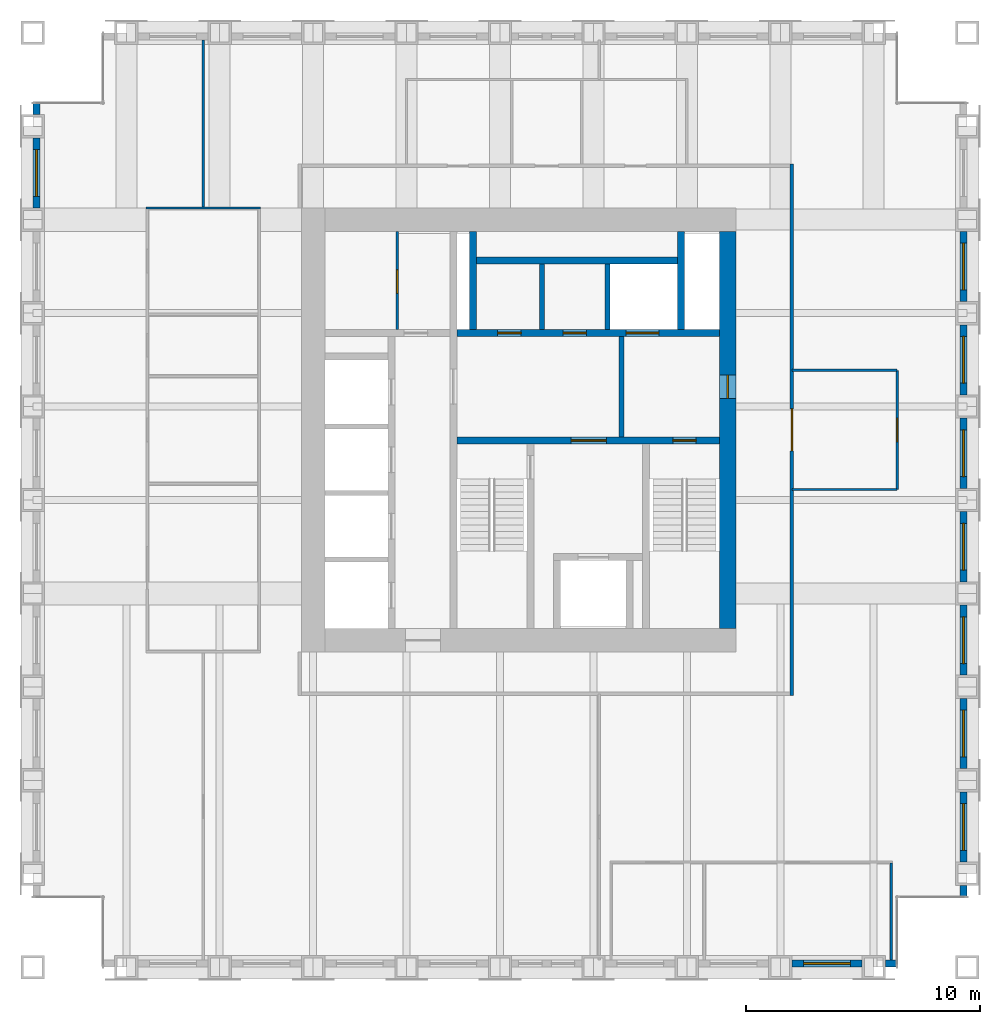
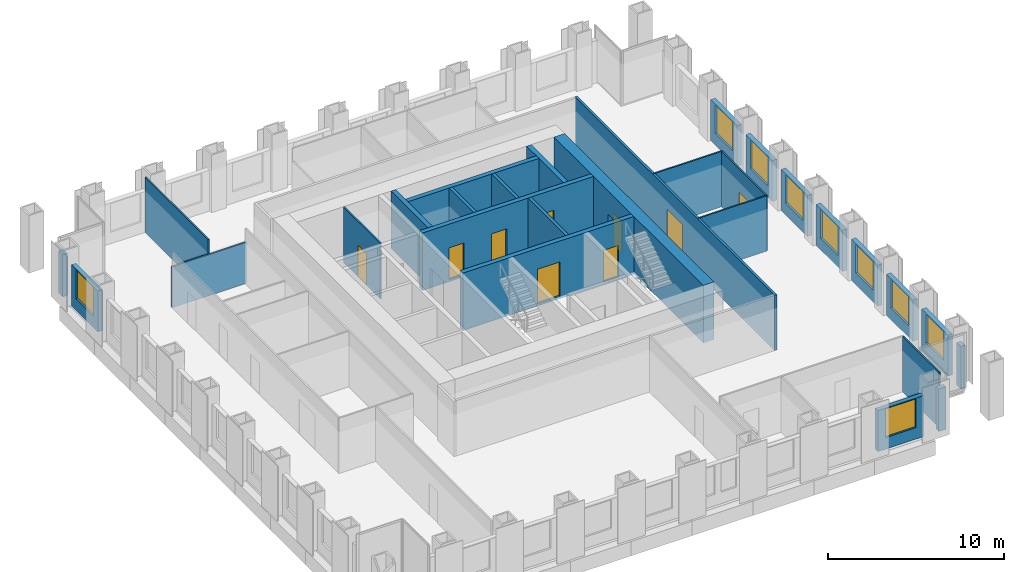
# One storey, part 9 of 11: 29 walls, 9 doors, 9 windows, 18 openings.
"""IFC4 building model written with IfcOpenShell, lengths in metres."""

from ifc_helpers import new_model, si_unit, direction, frame, frame_2d, origin, place, context, subcontext, project, spatial, rectangle, extrude, material, layer, layer_set, type_object, element, fill, save


model = new_model("IFC4")

# Units and contexts
model_context = context("Model", 3, precision=1e-05, world=origin(), true_north=direction((0.0, 1.0)))
body_context = subcontext(model_context, "Body", "Model", "MODEL_VIEW")
ifc_project = project(units=[si_unit("LENGTHUNIT", "METRE"), si_unit("AREAUNIT", "SQUARE_METRE"), si_unit("VOLUMEUNIT", "CUBIC_METRE"), si_unit("PLANEANGLEUNIT", "RADIAN"), si_unit("MASSUNIT", "GRAM", prefix="KILO")], contexts=[model_context])

# Site, building, storey
site_placement = place(None, origin())
site = spatial("IfcSite", under=ifc_project, at=site_placement, CompositionType="ELEMENT")
building_placement = place(site_placement, origin())
building = spatial("IfcBuilding", under=site, at=building_placement, Name="Rimbunsela Tower", CompositionType="ELEMENT")
storey_placement = place(building_placement, frame((0.0, 0.0, 278.199951171875)))
storey = spatial("IfcBuildingStorey", under=building, at=storey_placement, Name="L67", CompositionType="ELEMENT", Elevation=278.199951171875)

# Wall, openings, doors
ifc_material_1 = material(Name="Concrete fc' 80 MPa", Category="concrete")
ifc_layer_1 = layer(ifc_material_1, 0.300048828125)
ifc_layer_set_1 = layer_set([ifc_layer_1], Name="Core internal wall 300")
wall_type_1 = type_object("IfcWallType", Name="Core internal wall 300", PredefinedType="SHEAR", material=ifc_layer_set_1)
wall_1_placement = place(storey_placement, frame((24.14990234375, 26.550048828125, -0.14990234375), z_axis=(0.0, 0.0, 1.0), x_axis=(1.0, 0.0, 0.0)))
wall_1 = element("IfcWall", 1, at=wall_1_placement, inside=storey, type_object=wall_type_1, Name="Core wall lobby south", PredefinedType="SHEAR", context=body_context, shape_type="SweptSolid", body=[
    extrude(rectangle(XDim=11.25, YDim=0.300048828125, at=frame_2d((5.625, 0.0))), origin(), (0.0, 0.0, 1.0), 4.0),
])
opening_1_placement = place(wall_1_placement, frame((9.25, 0.0, 0.14990234375)))
opening_1 = element("IfcOpeningElement", 2, at=opening_1_placement, cuts=wall_1, Name="Opening D01", PredefinedType="OPENING", context=body_context, shape_type="SweptSolid", body=[
    extrude(rectangle(XDim=1.0, YDim=2.199951171875, at=frame_2d((0.5, 1.10009765625))), frame((0.0, 0.159912109375, 0.0), z_axis=(0.0, -1.0, 0.0), x_axis=(1.0, 0.0, 0.0)), (0.0, 0.0, 1.0), 0.320068359375),
])
opening_2_placement = place(wall_1_placement, frame((4.89990234375, 0.0, 0.14990234375)))
opening_2 = element("IfcOpeningElement", 3, at=opening_2_placement, cuts=wall_1, Name="Opening D03", PredefinedType="OPENING", context=body_context, shape_type="SweptSolid", body=[
    extrude(rectangle(XDim=1.5, YDim=2.39990234375, at=frame_2d((0.75, 1.199951171875))), frame((0.0, 0.159912109375, 0.0), z_axis=(0.0, -1.0, 0.0), x_axis=(1.0, 0.0, 0.0)), (0.0, 0.0, 1.0), 0.320068359375),
])
ifc_material_2 = material(Name="Steel door, fire rated", Category="steel")
door_type_1 = type_object("IfcDoorType", Name="Core lobby door 1500", OperationType="DOUBLE_DOOR_DOUBLE_SWING", PredefinedType="DOOR", material=ifc_material_2)
door_1_placement = place(opening_2_placement, origin())
door_1 = element("IfcDoor", 4, at=door_1_placement, inside=storey, type_object=door_type_1, Name="Firefighting lobby door", OperationType="DOUBLE_DOOR_DOUBLE_SWING", OverallHeight=2.39990234375, OverallWidth=1.5, PredefinedType="DOOR", context=body_context, shape_type="SweptSolid", body=[
    extrude(rectangle(XDim=1.5, YDim=2.39990234375, at=frame_2d((0.75, 1.199951171875))), frame((0.0, 0.02490234375, 0.0), z_axis=(0.0, -1.0, 0.0), x_axis=(1.0, 0.0, 0.0)), (0.0, 0.0, 1.0), 0.050048828125),
])
fill(opening_2, door_1)
ifc_material_3 = material(Name="Steel door, fire rated", Category="steel")
door_type_2 = type_object("IfcDoorType", Name="Stair door 1000", OperationType="SINGLE_SWING_RIGHT", PredefinedType="DOOR", material=ifc_material_3)
door_2_placement = place(opening_1_placement, frame((1.0, 0.0, 0.0), z_axis=(0.0, 0.0, 1.0), x_axis=(-1.0, 0.0, 0.0)))
door_2 = element("IfcDoor", 5, at=door_2_placement, inside=storey, type_object=door_type_2, Name="Stair B door", OperationType="SINGLE_SWING_RIGHT", OverallHeight=2.199951171875, OverallWidth=1.0, PredefinedType="DOOR", context=body_context, shape_type="SweptSolid", body=[
    extrude(rectangle(XDim=1.0, YDim=2.199951171875, at=frame_2d((0.5, 1.10009765625))), frame((0.0, 0.02490234375, 0.0), z_axis=(0.0, -1.0, 0.0), x_axis=(1.0, 0.0, 0.0)), (0.0, 0.0, 1.0), 0.050048828125),
])
fill(opening_1, door_2)

wall_2_placement = place(storey_placement, frame((24.14990234375, 31.14990234375, -0.14990234375), z_axis=(0.0, 0.0, 1.0), x_axis=(1.0, 0.0, 0.0)))
wall_2 = element("IfcWall", 6, at=wall_2_placement, inside=storey, type_object=wall_type_1, Name="Lift shaft front north", PredefinedType="SHEAR", context=body_context, shape_type="SweptSolid", body=[
    extrude(rectangle(XDim=11.25, YDim=0.300048828125, at=frame_2d((5.625, 0.0))), origin(), (0.0, 0.0, 1.0), 4.0),
])
opening_3_placement = place(wall_2_placement, frame((1.75, 0.0, 0.14990234375)))
opening_3 = element("IfcOpeningElement", 7, at=opening_3_placement, cuts=wall_2, Name="Opening D19", PredefinedType="OPENING", context=body_context, shape_type="SweptSolid", body=[
    extrude(rectangle(XDim=1.0, YDim=2.199951171875, at=frame_2d((0.5, 1.10009765625))), frame((0.0, 0.159912109375, 0.0), z_axis=(0.0, -1.0, 0.0), x_axis=(1.0, 0.0, 0.0)), (0.0, 0.0, 1.0), 0.320068359375),
])
opening_4_placement = place(wall_2_placement, frame((4.550048828125, 0.0, 0.14990234375)))
opening_4 = element("IfcOpeningElement", 8, at=opening_4_placement, cuts=wall_2, Name="Opening D19", PredefinedType="OPENING", context=body_context, shape_type="SweptSolid", body=[
    extrude(rectangle(XDim=1.0, YDim=2.199951171875, at=frame_2d((0.5, 1.10009765625))), frame((0.0, 0.159912109375, 0.0), z_axis=(0.0, -1.0, 0.0), x_axis=(1.0, 0.0, 0.0)), (0.0, 0.0, 1.0), 0.320068359375),
])
opening_5_placement = place(wall_2_placement, frame((7.25, 0.0, 0.14990234375)))
opening_5 = element("IfcOpeningElement", 9, at=opening_5_placement, cuts=wall_2, Name="Opening LD3", PredefinedType="OPENING", context=body_context, shape_type="SweptSolid", body=[
    extrude(rectangle(XDim=1.39990234375, YDim=2.39990234375, at=frame_2d((0.699951171875, 1.199951171875))), frame((0.0, 0.159912109375, 0.0), z_axis=(0.0, -1.0, 0.0), x_axis=(1.0, 0.0, 0.0)), (0.0, 0.0, 1.0), 0.320068359375),
])
ifc_material_4 = material(Name="Steel door, fire rated", Category="steel")
door_type_3 = type_object("IfcDoorType", Name="Lift landing door 1400", OperationType="DOUBLE_DOOR_SLIDING", PredefinedType="DOOR", material=ifc_material_4)
door_3_placement = place(opening_5_placement, origin())
door_3 = element("IfcDoor", 10, at=door_3_placement, inside=storey, type_object=door_type_3, Name="Lift landing door FL2", OperationType="DOUBLE_DOOR_SLIDING", OverallHeight=2.39990234375, OverallWidth=1.39990234375, PredefinedType="DOOR", context=body_context, shape_type="SweptSolid", body=[
    extrude(rectangle(XDim=1.39990234375, YDim=2.39990234375, at=frame_2d((0.699951171875, 1.199951171875))), frame((0.0, 0.02490234375, 0.0), z_axis=(0.0, -1.0, 0.0), x_axis=(1.0, 0.0, 0.0)), (0.0, 0.0, 1.0), 0.050048828125),
])
fill(opening_5, door_3)
ifc_material_5 = material(Name="Steel door, fire rated", Category="steel")
door_type_4 = type_object("IfcDoorType", Name="Service door 1000 fire rated", OperationType="SINGLE_SWING_LEFT", PredefinedType="DOOR", material=ifc_material_5)
door_4_placement = place(opening_3_placement, origin())
door_4 = element("IfcDoor", 11, at=door_4_placement, inside=storey, type_object=door_type_4, Name="Staff WC door", OperationType="SINGLE_SWING_LEFT", OverallHeight=2.199951171875, OverallWidth=1.0, PredefinedType="DOOR", context=body_context, shape_type="SweptSolid", body=[
    extrude(rectangle(XDim=1.0, YDim=2.199951171875, at=frame_2d((0.5, 1.10009765625))), frame((0.0, 0.02490234375, 0.0), z_axis=(0.0, -1.0, 0.0), x_axis=(1.0, 0.0, 0.0)), (0.0, 0.0, 1.0), 0.050048828125),
])
fill(opening_3, door_4)
door_5_placement = place(opening_4_placement, origin())
door_5 = element("IfcDoor", 12, at=door_5_placement, inside=storey, type_object=door_type_4, Name="Cleaners store door", OperationType="SINGLE_SWING_LEFT", OverallHeight=2.199951171875, OverallWidth=1.0, PredefinedType="DOOR", context=body_context, shape_type="SweptSolid", body=[
    extrude(rectangle(XDim=1.0, YDim=2.199951171875, at=frame_2d((0.5, 1.10009765625))), frame((0.0, 0.02490234375, 0.0), z_axis=(0.0, -1.0, 0.0), x_axis=(1.0, 0.0, 0.0)), (0.0, 0.0, 1.0), 0.050048828125),
])
fill(opening_4, door_5)

# Walls
for number, where, z_axis, x_axis, name in (
    (13, (24.85009765625, 31.300048828125, -0.14990234375), (0.0, 0.0, 1.0), (0.0, 1.0, 0.0), "Riser wall"),
    (14, (33.75, 31.300048828125, -0.14990234375), (0.0, 0.0, 1.0), (0.0, 1.0, 0.0), "Riser wall"),
):
    element("IfcWall", number, at=place(storey_placement, frame(where, z_axis=z_axis, x_axis=x_axis)), inside=storey, type_object=wall_type_1, Name=name, PredefinedType="SHEAR", context=body_context, shape_type="SweptSolid", body=[
        extrude(rectangle(XDim=4.199951171875, YDim=0.300048828125, at=frame_2d((2.10009765625, 0.0))), origin(), (0.0, 0.0, 1.0), 4.0),
    ])
wall_3_placement = place(storey_placement, frame((25.0, 34.25, -0.14990234375), z_axis=(0.0, 0.0, 1.0), x_axis=(1.0, 0.0, 0.0)))
element("IfcWall", 15, at=wall_3_placement, inside=storey, type_object=wall_type_1, Name="Lift shaft rear north", PredefinedType="SHEAR", context=body_context, shape_type="SweptSolid", body=[
    extrude(rectangle(XDim=8.60009765625, YDim=0.300048828125, at=frame_2d((4.300048828125, 0.0))), origin(), (0.0, 0.0, 1.0), 4.0),
])

# Wall, opening, door
ifc_material_6 = material(Name="Concrete blockwork", Category="masonry")
ifc_layer_2 = layer(ifc_material_6, 0.10009765625)
ifc_layer_set_2 = layer_set([ifc_layer_2], Name="Core room partition 100")
wall_type_2 = type_object("IfcWallType", Name="Core room partition 100", PredefinedType="PARTITIONING", material=ifc_layer_set_2)
wall_4_placement = place(storey_placement, frame((21.60009765625, 31.300048828125, 0.0), z_axis=(0.0, 0.0, 1.0), x_axis=(0.0, 1.0, 0.0)))
wall_4 = element("IfcWall", 16, at=wall_4_placement, inside=storey, type_object=wall_type_2, Name="Equipment store wall", PredefinedType="PARTITIONING", context=body_context, shape_type="SweptSolid", body=[
    extrude(rectangle(XDim=4.199951171875, YDim=0.10009765625, at=frame_2d((2.10009765625, 0.0))), origin(), (0.0, 0.0, 1.0), 3.85009765625),
])
opening_6_placement = place(wall_4_placement, frame((1.550048828125, 0.0, 0.0)))
opening_6 = element("IfcOpeningElement", 17, at=opening_6_placement, cuts=wall_4, Name="Opening D19", PredefinedType="OPENING", context=body_context, shape_type="SweptSolid", body=[
    extrude(rectangle(XDim=1.0, YDim=2.199951171875, at=frame_2d((0.5, 1.10009765625))), frame((0.0, 0.06005859375, 0.0), z_axis=(0.0, -1.0, 0.0), x_axis=(1.0, 0.0, 0.0)), (0.0, 0.0, 1.0), 0.1201171875),
])
door_6_placement = place(opening_6_placement, origin())
door_6 = element("IfcDoor", 18, at=door_6_placement, inside=storey, type_object=door_type_4, Name="Equipment store door", OperationType="SINGLE_SWING_LEFT", OverallHeight=2.199951171875, OverallWidth=1.0, PredefinedType="DOOR", context=body_context, shape_type="SweptSolid", body=[
    extrude(rectangle(XDim=1.0, YDim=2.199951171875, at=frame_2d((0.5, 1.10009765625))), frame((0.0, 0.02490234375, 0.0), z_axis=(0.0, -1.0, 0.0), x_axis=(1.0, 0.0, 0.0)), (0.0, 0.0, 1.0), 0.050048828125),
])
fill(opening_6, door_6)

ifc_material_7 = material(Name="Concrete fc' 80 MPa", Category="concrete")
ifc_layer_3 = layer(ifc_material_7, 0.699951171875)
ifc_layer_set_3 = layer_set([ifc_layer_3], Name="Core wall 700 east")
wall_type_3 = type_object("IfcWallType", Name="Core wall 700 east", PredefinedType="SHEAR", material=ifc_layer_set_3)
wall_5_placement = place(storey_placement, frame((35.75, 18.5, -0.14990234375), z_axis=(0.0, 0.0, 1.0), x_axis=(0.0, 1.0, 0.0)))
wall_5 = element("IfcWall", 19, at=wall_5_placement, inside=storey, type_object=wall_type_3, Name="Core wall east", PredefinedType="SHEAR", context=body_context, shape_type="SweptSolid", body=[
    extrude(rectangle(XDim=17.0, YDim=0.699951171875, at=frame_2d((8.5, 0.0))), origin(), (0.0, 0.0, 1.0), 4.0),
])
opening_7_placement = place(wall_5_placement, frame((9.85009765625, 0.0, 0.14990234375)))
opening_7 = element("IfcOpeningElement", 20, at=opening_7_placement, cuts=wall_5, Name="Opening D01", PredefinedType="OPENING", context=body_context, shape_type="SweptSolid", body=[
    extrude(rectangle(XDim=1.0, YDim=2.199951171875, at=frame_2d((0.5, 1.10009765625))), frame((0.0, 0.35986328125, 0.0), z_axis=(0.0, -1.0, 0.0), x_axis=(1.0, 0.0, 0.0)), (0.0, 0.0, 1.0), 0.719970703125),
])
door_7_placement = place(opening_7_placement, origin())
door_7 = element("IfcDoor", 21, at=door_7_placement, inside=storey, type_object=door_type_2, Name="Firefighting lobby 2 door", OperationType="SINGLE_SWING_RIGHT", OverallHeight=2.199951171875, OverallWidth=1.0, PredefinedType="DOOR", context=body_context, shape_type="SweptSolid", body=[
    extrude(rectangle(XDim=1.0, YDim=2.199951171875, at=frame_2d((0.5, 1.10009765625))), frame((0.0, 0.02490234375, 0.0), z_axis=(0.0, -1.0, 0.0), x_axis=(1.0, 0.0, 0.0)), (0.0, 0.0, 1.0), 0.050048828125),
])
fill(opening_7, door_7)

# Walls
ifc_material_8 = material(Name="Concrete blockwork", Category="masonry")
ifc_layer_4 = layer(ifc_material_8, 0.199951171875)
ifc_layer_set_4 = layer_set([ifc_layer_4], Name="Lift shaft wall 200")
wall_type_4 = type_object("IfcWallType", Name="Lift shaft wall 200", PredefinedType="SOLIDWALL", material=ifc_layer_set_4)
for number, where, z_axis, x_axis, name in (
    (22, (27.800048828125, 31.300048828125, -0.14990234375), (0.0, 0.0, 1.0), (0.0, 1.0, 0.0), "Lift shaft separation"),
    (23, (30.60009765625, 31.300048828125, -0.14990234375), (0.0, 0.0, 1.0), (0.0, 1.0, 0.0), "Lift shaft separation"),
):
    element("IfcWall", number, at=place(storey_placement, frame(where, z_axis=z_axis, x_axis=x_axis)), inside=storey, type_object=wall_type_4, Name=name, PredefinedType="SOLIDWALL", context=body_context, shape_type="SweptSolid", body=[
        extrude(rectangle(XDim=2.800048828125, YDim=0.199951171875, at=frame_2d((1.39990234375, 0.0))), origin(), (0.0, 0.0, 1.0), 4.0),
    ])
wall_6_placement = place(storey_placement, frame((31.199951171875, 26.699951171875, 0.0), z_axis=(0.0, 0.0, 1.0), x_axis=(0.0, 1.0, 0.0)))
element("IfcWall", 24, at=wall_6_placement, inside=storey, type_object=wall_type_4, Name="Firefighting lobby 2 wall", PredefinedType="SOLIDWALL", context=body_context, shape_type="SweptSolid", body=[
    extrude(rectangle(XDim=4.300048828125, YDim=0.199951171875, at=frame_2d((2.14990234375, 0.0))), origin(), (0.0, 0.0, 1.0), 3.85009765625),
])
ifc_material_9 = material(Name="Gypsum board on steel studs", Category="steel")
ifc_layer_5 = layer(ifc_material_9, 0.10009765625)
ifc_layer_set_5 = layer_set([ifc_layer_5], Name="Office partition 100")
wall_type_5 = type_object("IfcWallType", Name="Office partition 100", PredefinedType="PARTITIONING", material=ifc_layer_set_5)
wall_7_placement = place(storey_placement, frame((10.85009765625, 36.5, 0.0), z_axis=(0.0, 0.0, 1.0), x_axis=(1.0, 0.0, 0.0)))
element("IfcWall", 25, at=wall_7_placement, inside=storey, type_object=wall_type_5, Name="Office partition", PredefinedType="PARTITIONING", context=body_context, shape_type="SweptSolid", body=[
    extrude(rectangle(XDim=4.89990234375, YDim=0.10009765625, at=frame_2d((2.449951171875, 0.0))), origin(), (0.0, 0.0, 1.0), 2.85009765625),
])
wall_8_placement = place(storey_placement, frame((42.75, 4.300048828125, 0.0), z_axis=(0.0, 0.0, 1.0), x_axis=(0.0, 1.0, 0.0)))
element("IfcWall", 26, at=wall_8_placement, inside=storey, type_object=wall_type_5, Name="Office partition", PredefinedType="PARTITIONING", context=body_context, shape_type="SweptSolid", body=[
    extrude(rectangle(XDim=4.14990234375, YDim=0.10009765625, at=frame_2d((2.074951171875, 0.0))), origin(), (0.0, 0.0, 1.0), 3.85009765625),
])
wall_9_placement = place(storey_placement, frame((13.300048828125, 36.550048828125, 0.0), z_axis=(0.0, 0.0, 1.0), x_axis=(0.0, 1.0, 0.0)))
element("IfcWall", 27, at=wall_9_placement, inside=storey, type_object=wall_type_5, Name="Office partition", PredefinedType="PARTITIONING", context=body_context, shape_type="SweptSolid", body=[
    extrude(rectangle(XDim=7.14990234375, YDim=0.10009765625, at=frame_2d((3.574951171875, 0.0))), origin(), (0.0, 0.0, 1.0), 3.85009765625),
])
wall_10_placement = place(storey_placement, frame((38.5, 24.449951171875, 0.0), z_axis=(0.0, 0.0, 1.0), x_axis=(1.0, 0.0, 0.0)))
element("IfcWall", 28, at=wall_10_placement, inside=storey, type_object=wall_type_5, Name="Office partition", PredefinedType="PARTITIONING", context=body_context, shape_type="SweptSolid", body=[
    extrude(rectangle(XDim=4.5, YDim=0.10009765625, at=frame_2d((2.25, 0.0))), origin(), (0.0, 0.0, 1.0), 3.85009765625),
])

# Wall, opening, door
wall_11_placement = place(storey_placement, frame((43.0, 24.449951171875, 0.0), z_axis=(0.0, 0.0, 1.0), x_axis=(0.0, 1.0, 0.0)))
wall_11 = element("IfcWall", 29, at=wall_11_placement, inside=storey, type_object=wall_type_5, Name="Office partition", PredefinedType="PARTITIONING", context=body_context, shape_type="SweptSolid", body=[
    extrude(rectangle(XDim=5.10009765625, YDim=0.10009765625, at=frame_2d((2.550048828125, 0.0))), origin(), (0.0, 0.0, 1.0), 3.85009765625),
])
opening_8_placement = place(wall_11_placement, frame((2.050048828125, 0.0, 0.0)))
opening_8 = element("IfcOpeningElement", 30, at=opening_8_placement, cuts=wall_11, Name="Opening D17", PredefinedType="OPENING", context=body_context, shape_type="SweptSolid", body=[
    extrude(rectangle(XDim=1.0, YDim=2.199951171875, at=frame_2d((0.5, 1.10009765625))), frame((0.0, 0.06005859375, 0.0), z_axis=(0.0, -1.0, 0.0), x_axis=(1.0, 0.0, 0.0)), (0.0, 0.0, 1.0), 0.1201171875),
])
ifc_material_10 = material(Name="Glazed aluminium door", Category="aluminium")
door_type_5 = type_object("IfcDoorType", Name="Meeting room door 1000 glazed", OperationType="SINGLE_SWING_RIGHT", PredefinedType="DOOR", material=ifc_material_10)
door_8_placement = place(opening_8_placement, origin())
door_8 = element("IfcDoor", 31, at=door_8_placement, inside=storey, type_object=door_type_5, Name="Reception door", OperationType="SINGLE_SWING_RIGHT", OverallHeight=2.199951171875, OverallWidth=1.0, PredefinedType="DOOR", context=body_context, shape_type="SweptSolid", body=[
    extrude(rectangle(XDim=1.0, YDim=2.199951171875, at=frame_2d((0.5, 1.10009765625))), frame((0.0, 0.02490234375, 0.0), z_axis=(0.0, -1.0, 0.0), x_axis=(1.0, 0.0, 0.0)), (0.0, 0.0, 1.0), 0.050048828125),
])
fill(opening_8, door_8)

# Wall
wall_12_placement = place(storey_placement, frame((43.0, 29.550048828125, 0.0), z_axis=(0.0, 0.0, 1.0), x_axis=(-1.0, 0.0, 0.0)))
element("IfcWall", 32, at=wall_12_placement, inside=storey, type_object=wall_type_5, Name="Office partition", PredefinedType="PARTITIONING", context=body_context, shape_type="SweptSolid", body=[
    extrude(rectangle(XDim=4.5, YDim=0.10009765625, at=frame_2d((2.25, 0.0))), origin(), (0.0, 0.0, 1.0), 3.85009765625),
])

# Wall, opening, window
ifc_material_11 = material(Name="Precast concrete fc' 35 MPa", Category="concrete")
ifc_layer_6 = layer(ifc_material_11, 0.300048828125)
ifc_layer_set_6 = layer_set([ifc_layer_6], Name="Precast concrete fc' 35 MPa")
wall_type_6 = type_object("IfcWallType", Name="Precast facade panel 300", PredefinedType="ELEMENTEDWALL", material=ifc_layer_set_6)
wall_13_placement = place(storey_placement, frame((38.5, 4.14990234375, 0.0), z_axis=(0.0, 0.0, 1.0), x_axis=(1.0, 0.0, 0.0)))
wall_13 = element("IfcWall", 33, at=wall_13_placement, inside=storey, type_object=wall_type_6, Name="Facade panel S L67", PredefinedType="ELEMENTEDWALL", context=body_context, shape_type="SweptSolid", body=[
    extrude(rectangle(XDim=3.0, YDim=0.300048828125, at=frame_2d((1.5, 0.0))), origin(), (0.0, 0.0, 1.0), 2.85009765625),
])
opening_9_placement = place(wall_13_placement, frame((0.5, 0.0, 0.800048828125)))
opening_9 = element("IfcOpeningElement", 34, at=opening_9_placement, cuts=wall_13, Name="Opening W1", PredefinedType="OPENING", context=body_context, shape_type="SweptSolid", body=[
    extrude(rectangle(XDim=2.0, YDim=2.0, at=frame_2d((1.0, 1.0))), frame((0.0, 0.159912109375, 0.0), z_axis=(0.0, -1.0, 0.0), x_axis=(1.0, 0.0, 0.0)), (0.0, 0.0, 1.0), 0.320068359375),
])
ifc_material_12 = material(Name="Clear glass in aluminium frame", Category="aluminium")
window_type = type_object("IfcWindowType", Name="Window W1 2000x2000", PartitioningType="DOUBLE_PANEL_VERTICAL", PredefinedType="WINDOW", material=ifc_material_12)
window_1_placement = place(opening_9_placement, origin())
window_1 = element("IfcWindow", 35, at=window_1_placement, inside=storey, type_object=window_type, Name="Window L67", OverallHeight=2.0, OverallWidth=2.0, PartitioningType="SINGLE_PANEL", PredefinedType="WINDOW", context=body_context, shape_type="SweptSolid", body=[
    extrude(rectangle(XDim=2.0, YDim=2.0, at=frame_2d((1.0, 1.0))), frame((0.0, 0.030029296875, 0.0), z_axis=(0.0, -1.0, 0.0), x_axis=(1.0, 0.0, 0.0)), (0.0, 0.0, 1.0), 0.06005859375),
])
fill(opening_9, window_1)

# Walls
for number, where, z_axis, x_axis, name in (
    (36, (42.5, 4.14990234375, 0.0), (0.0, 0.0, 1.0), (1.0, 0.0, 0.0), "Facade panel S L67"),
    (37, (45.85009765625, 7.030029296875, 0.0), (0.0, 0.0, 1.0), (0.0, 1.0, 0.0), "Facade panel E L67"),
):
    element("IfcWall", number, at=place(storey_placement, frame(where, z_axis=z_axis, x_axis=x_axis)), inside=storey, type_object=wall_type_6, Name=name, PredefinedType="ELEMENTEDWALL", context=body_context, shape_type="SweptSolid", body=[
        extrude(rectangle(XDim=0.469970703125, YDim=0.300048828125, at=frame_2d((0.23486328125, 0.0))), origin(), (0.0, 0.0, 1.0), 2.949951171875),
    ])

# Wall, opening, window
wall_14_placement = place(storey_placement, frame((45.85009765625, 8.5, 0.0), z_axis=(0.0, 0.0, 1.0), x_axis=(0.0, 1.0, 0.0)))
wall_14 = element("IfcWall", 38, at=wall_14_placement, inside=storey, type_object=wall_type_6, Name="Facade panel E L67", PredefinedType="ELEMENTEDWALL", context=body_context, shape_type="SweptSolid", body=[
    extrude(rectangle(XDim=3.0, YDim=0.300048828125, at=frame_2d((1.5, 0.0))), origin(), (0.0, 0.0, 1.0), 2.85009765625),
])
opening_10_placement = place(wall_14_placement, frame((0.5, 0.0, 0.800048828125)))
opening_10 = element("IfcOpeningElement", 39, at=opening_10_placement, cuts=wall_14, Name="Opening W1", PredefinedType="OPENING", context=body_context, shape_type="SweptSolid", body=[
    extrude(rectangle(XDim=2.0, YDim=2.0, at=frame_2d((1.0, 1.0))), frame((0.0, 0.159912109375, 0.0), z_axis=(0.0, -1.0, 0.0), x_axis=(1.0, 0.0, 0.0)), (0.0, 0.0, 1.0), 0.320068359375),
])
window_2_placement = place(opening_10_placement, origin())
window_2 = element("IfcWindow", 40, at=window_2_placement, inside=storey, type_object=window_type, Name="Window L67", OverallHeight=2.0, OverallWidth=2.0, PartitioningType="SINGLE_PANEL", PredefinedType="WINDOW", context=body_context, shape_type="SweptSolid", body=[
    extrude(rectangle(XDim=2.0, YDim=2.0, at=frame_2d((1.0, 1.0))), frame((0.0, 0.030029296875, 0.0), z_axis=(0.0, -1.0, 0.0), x_axis=(1.0, 0.0, 0.0)), (0.0, 0.0, 1.0), 0.06005859375),
])
fill(opening_10, window_2)

wall_15_placement = place(storey_placement, frame((45.85009765625, 12.5, 0.0), z_axis=(0.0, 0.0, 1.0), x_axis=(0.0, 1.0, 0.0)))
wall_15 = element("IfcWall", 41, at=wall_15_placement, inside=storey, type_object=wall_type_6, Name="Facade panel E L67", PredefinedType="ELEMENTEDWALL", context=body_context, shape_type="SweptSolid", body=[
    extrude(rectangle(XDim=3.0, YDim=0.300048828125, at=frame_2d((1.5, 0.0))), origin(), (0.0, 0.0, 1.0), 2.85009765625),
])
opening_11_placement = place(wall_15_placement, frame((0.5, 0.0, 0.800048828125)))
opening_11 = element("IfcOpeningElement", 42, at=opening_11_placement, cuts=wall_15, Name="Opening W1", PredefinedType="OPENING", context=body_context, shape_type="SweptSolid", body=[
    extrude(rectangle(XDim=2.0, YDim=2.0, at=frame_2d((1.0, 1.0))), frame((0.0, 0.159912109375, 0.0), z_axis=(0.0, -1.0, 0.0), x_axis=(1.0, 0.0, 0.0)), (0.0, 0.0, 1.0), 0.320068359375),
])
window_3_placement = place(opening_11_placement, origin())
window_3 = element("IfcWindow", 43, at=window_3_placement, inside=storey, type_object=window_type, Name="Window L67", OverallHeight=2.0, OverallWidth=2.0, PartitioningType="SINGLE_PANEL", PredefinedType="WINDOW", context=body_context, shape_type="SweptSolid", body=[
    extrude(rectangle(XDim=2.0, YDim=2.0, at=frame_2d((1.0, 1.0))), frame((0.0, 0.030029296875, 0.0), z_axis=(0.0, -1.0, 0.0), x_axis=(1.0, 0.0, 0.0)), (0.0, 0.0, 1.0), 0.06005859375),
])
fill(opening_11, window_3)

wall_16_placement = place(storey_placement, frame((45.85009765625, 16.5, 0.0), z_axis=(0.0, 0.0, 1.0), x_axis=(0.0, 1.0, 0.0)))
wall_16 = element("IfcWall", 44, at=wall_16_placement, inside=storey, type_object=wall_type_6, Name="Facade panel E L67", PredefinedType="ELEMENTEDWALL", context=body_context, shape_type="SweptSolid", body=[
    extrude(rectangle(XDim=3.0, YDim=0.300048828125, at=frame_2d((1.5, 0.0))), origin(), (0.0, 0.0, 1.0), 2.85009765625),
])
opening_12_placement = place(wall_16_placement, frame((0.5, 0.0, 0.800048828125)))
opening_12 = element("IfcOpeningElement", 45, at=opening_12_placement, cuts=wall_16, Name="Opening W1", PredefinedType="OPENING", context=body_context, shape_type="SweptSolid", body=[
    extrude(rectangle(XDim=2.0, YDim=2.0, at=frame_2d((1.0, 1.0))), frame((0.0, 0.159912109375, 0.0), z_axis=(0.0, -1.0, 0.0), x_axis=(1.0, 0.0, 0.0)), (0.0, 0.0, 1.0), 0.320068359375),
])
window_4_placement = place(opening_12_placement, origin())
window_4 = element("IfcWindow", 46, at=window_4_placement, inside=storey, type_object=window_type, Name="Window L67", OverallHeight=2.0, OverallWidth=2.0, PartitioningType="SINGLE_PANEL", PredefinedType="WINDOW", context=body_context, shape_type="SweptSolid", body=[
    extrude(rectangle(XDim=2.0, YDim=2.0, at=frame_2d((1.0, 1.0))), frame((0.0, 0.030029296875, 0.0), z_axis=(0.0, -1.0, 0.0), x_axis=(1.0, 0.0, 0.0)), (0.0, 0.0, 1.0), 0.06005859375),
])
fill(opening_12, window_4)

wall_17_placement = place(storey_placement, frame((45.85009765625, 20.5, 0.0), z_axis=(0.0, 0.0, 1.0), x_axis=(0.0, 1.0, 0.0)))
wall_17 = element("IfcWall", 47, at=wall_17_placement, inside=storey, type_object=wall_type_6, Name="Facade panel E L67", PredefinedType="ELEMENTEDWALL", context=body_context, shape_type="SweptSolid", body=[
    extrude(rectangle(XDim=3.0, YDim=0.300048828125, at=frame_2d((1.5, 0.0))), origin(), (0.0, 0.0, 1.0), 2.85009765625),
])
opening_13_placement = place(wall_17_placement, frame((0.5, 0.0, 0.800048828125)))
opening_13 = element("IfcOpeningElement", 48, at=opening_13_placement, cuts=wall_17, Name="Opening W1", PredefinedType="OPENING", context=body_context, shape_type="SweptSolid", body=[
    extrude(rectangle(XDim=2.0, YDim=2.0, at=frame_2d((1.0, 1.0))), frame((0.0, 0.159912109375, 0.0), z_axis=(0.0, -1.0, 0.0), x_axis=(1.0, 0.0, 0.0)), (0.0, 0.0, 1.0), 0.320068359375),
])
window_5_placement = place(opening_13_placement, origin())
window_5 = element("IfcWindow", 49, at=window_5_placement, inside=storey, type_object=window_type, Name="Window L67", OverallHeight=2.0, OverallWidth=2.0, PartitioningType="SINGLE_PANEL", PredefinedType="WINDOW", context=body_context, shape_type="SweptSolid", body=[
    extrude(rectangle(XDim=2.0, YDim=2.0, at=frame_2d((1.0, 1.0))), frame((0.0, 0.030029296875, 0.0), z_axis=(0.0, -1.0, 0.0), x_axis=(1.0, 0.0, 0.0)), (0.0, 0.0, 1.0), 0.06005859375),
])
fill(opening_13, window_5)

wall_18_placement = place(storey_placement, frame((45.85009765625, 24.5, 0.0), z_axis=(0.0, 0.0, 1.0), x_axis=(0.0, 1.0, 0.0)))
wall_18 = element("IfcWall", 50, at=wall_18_placement, inside=storey, type_object=wall_type_6, Name="Facade panel E L67", PredefinedType="ELEMENTEDWALL", context=body_context, shape_type="SweptSolid", body=[
    extrude(rectangle(XDim=3.0, YDim=0.300048828125, at=frame_2d((1.5, 0.0))), origin(), (0.0, 0.0, 1.0), 2.85009765625),
])
opening_14_placement = place(wall_18_placement, frame((0.5, 0.0, 0.800048828125)))
opening_14 = element("IfcOpeningElement", 51, at=opening_14_placement, cuts=wall_18, Name="Opening W1", PredefinedType="OPENING", context=body_context, shape_type="SweptSolid", body=[
    extrude(rectangle(XDim=2.0, YDim=2.0, at=frame_2d((1.0, 1.0))), frame((0.0, 0.159912109375, 0.0), z_axis=(0.0, -1.0, 0.0), x_axis=(1.0, 0.0, 0.0)), (0.0, 0.0, 1.0), 0.320068359375),
])
window_6_placement = place(opening_14_placement, origin())
window_6 = element("IfcWindow", 52, at=window_6_placement, inside=storey, type_object=window_type, Name="Window L67", OverallHeight=2.0, OverallWidth=2.0, PartitioningType="SINGLE_PANEL", PredefinedType="WINDOW", context=body_context, shape_type="SweptSolid", body=[
    extrude(rectangle(XDim=2.0, YDim=2.0, at=frame_2d((1.0, 1.0))), frame((0.0, 0.030029296875, 0.0), z_axis=(0.0, -1.0, 0.0), x_axis=(1.0, 0.0, 0.0)), (0.0, 0.0, 1.0), 0.06005859375),
])
fill(opening_14, window_6)

wall_19_placement = place(storey_placement, frame((45.85009765625, 28.5, 0.0), z_axis=(0.0, 0.0, 1.0), x_axis=(0.0, 1.0, 0.0)))
wall_19 = element("IfcWall", 53, at=wall_19_placement, inside=storey, type_object=wall_type_6, Name="Facade panel E L67", PredefinedType="ELEMENTEDWALL", context=body_context, shape_type="SweptSolid", body=[
    extrude(rectangle(XDim=3.0, YDim=0.300048828125, at=frame_2d((1.5, 0.0))), origin(), (0.0, 0.0, 1.0), 2.85009765625),
])
opening_15_placement = place(wall_19_placement, frame((0.5, 0.0, 0.800048828125)))
opening_15 = element("IfcOpeningElement", 54, at=opening_15_placement, cuts=wall_19, Name="Opening W1", PredefinedType="OPENING", context=body_context, shape_type="SweptSolid", body=[
    extrude(rectangle(XDim=2.0, YDim=2.0, at=frame_2d((1.0, 1.0))), frame((0.0, 0.159912109375, 0.0), z_axis=(0.0, -1.0, 0.0), x_axis=(1.0, 0.0, 0.0)), (0.0, 0.0, 1.0), 0.320068359375),
])
window_7_placement = place(opening_15_placement, origin())
window_7 = element("IfcWindow", 55, at=window_7_placement, inside=storey, type_object=window_type, Name="Window L67", OverallHeight=2.0, OverallWidth=2.0, PartitioningType="SINGLE_PANEL", PredefinedType="WINDOW", context=body_context, shape_type="SweptSolid", body=[
    extrude(rectangle(XDim=2.0, YDim=2.0, at=frame_2d((1.0, 1.0))), frame((0.0, 0.030029296875, 0.0), z_axis=(0.0, -1.0, 0.0), x_axis=(1.0, 0.0, 0.0)), (0.0, 0.0, 1.0), 0.06005859375),
])
fill(opening_15, window_7)

wall_20_placement = place(storey_placement, frame((45.85009765625, 32.5, 0.0), z_axis=(0.0, 0.0, 1.0), x_axis=(0.0, 1.0, 0.0)))
wall_20 = element("IfcWall", 56, at=wall_20_placement, inside=storey, type_object=wall_type_6, Name="Facade panel E L67", PredefinedType="ELEMENTEDWALL", context=body_context, shape_type="SweptSolid", body=[
    extrude(rectangle(XDim=3.0, YDim=0.300048828125, at=frame_2d((1.5, 0.0))), origin(), (0.0, 0.0, 1.0), 2.85009765625),
])
opening_16_placement = place(wall_20_placement, frame((0.5, 0.0, 0.800048828125)))
opening_16 = element("IfcOpeningElement", 57, at=opening_16_placement, cuts=wall_20, Name="Opening W1", PredefinedType="OPENING", context=body_context, shape_type="SweptSolid", body=[
    extrude(rectangle(XDim=2.0, YDim=2.0, at=frame_2d((1.0, 1.0))), frame((0.0, 0.159912109375, 0.0), z_axis=(0.0, -1.0, 0.0), x_axis=(1.0, 0.0, 0.0)), (0.0, 0.0, 1.0), 0.320068359375),
])
window_8_placement = place(opening_16_placement, origin())
window_8 = element("IfcWindow", 58, at=window_8_placement, inside=storey, type_object=window_type, Name="Window L67", OverallHeight=2.0, OverallWidth=2.0, PartitioningType="SINGLE_PANEL", PredefinedType="WINDOW", context=body_context, shape_type="SweptSolid", body=[
    extrude(rectangle(XDim=2.0, YDim=2.0, at=frame_2d((1.0, 1.0))), frame((0.0, 0.030029296875, 0.0), z_axis=(0.0, -1.0, 0.0), x_axis=(1.0, 0.0, 0.0)), (0.0, 0.0, 1.0), 0.06005859375),
])
fill(opening_16, window_8)

wall_21_placement = place(storey_placement, frame((6.14990234375, 39.5, 0.0), z_axis=(0.0, 0.0, 1.0), x_axis=(0.0, -1.0, 0.0)))
wall_21 = element("IfcWall", 59, at=wall_21_placement, inside=storey, type_object=wall_type_6, Name="Facade panel W L67", PredefinedType="ELEMENTEDWALL", context=body_context, shape_type="SweptSolid", body=[
    extrude(rectangle(XDim=3.0, YDim=0.300048828125, at=frame_2d((1.5, 0.0))), origin(), (0.0, 0.0, 1.0), 2.85009765625),
])
opening_17_placement = place(wall_21_placement, frame((0.5, 0.0, 0.800048828125)))
opening_17 = element("IfcOpeningElement", 60, at=opening_17_placement, cuts=wall_21, Name="Opening W1", PredefinedType="OPENING", context=body_context, shape_type="SweptSolid", body=[
    extrude(rectangle(XDim=2.0, YDim=2.0, at=frame_2d((1.0, 1.0))), frame((0.0, 0.159912109375, 0.0), z_axis=(0.0, -1.0, 0.0), x_axis=(1.0, 0.0, 0.0)), (0.0, 0.0, 1.0), 0.320068359375),
])
window_9_placement = place(opening_17_placement, origin())
window_9 = element("IfcWindow", 61, at=window_9_placement, inside=storey, type_object=window_type, Name="Window L67", OverallHeight=2.0, OverallWidth=2.0, PartitioningType="SINGLE_PANEL", PredefinedType="WINDOW", context=body_context, shape_type="SweptSolid", body=[
    extrude(rectangle(XDim=2.0, YDim=2.0, at=frame_2d((1.0, 1.0))), frame((0.0, 0.030029296875, 0.0), z_axis=(0.0, -1.0, 0.0), x_axis=(1.0, 0.0, 0.0)), (0.0, 0.0, 1.0), 0.06005859375),
])
fill(opening_17, window_9)

# Wall
wall_22_placement = place(storey_placement, frame((6.14990234375, 40.969970703125, 0.0), z_axis=(0.0, 0.0, 1.0), x_axis=(0.0, -1.0, 0.0)))
element("IfcWall", 62, at=wall_22_placement, inside=storey, type_object=wall_type_6, Name="Facade panel W L67", PredefinedType="ELEMENTEDWALL", context=body_context, shape_type="SweptSolid", body=[
    extrude(rectangle(XDim=0.469970703125, YDim=0.300048828125, at=frame_2d((0.23486328125, 0.0))), origin(), (0.0, 0.0, 1.0), 2.949951171875),
])

# Wall, opening, door
ifc_material_13 = material(Name="Fire-rated gypsum board on steel studs, EI 60", Category="steel")
ifc_layer_7 = layer(ifc_material_13, 0.14990234375)
ifc_layer_set_7 = layer_set([ifc_layer_7], Name="Rated corridor wall 150")
wall_type_7 = type_object("IfcWallType", Name="Rated corridor wall 150", PredefinedType="PARTITIONING", material=ifc_layer_set_7)
wall_23_placement = place(storey_placement, frame((38.5, 15.625, 0.0), z_axis=(0.0, 0.0, 1.0), x_axis=(0.0, 1.0, 0.0)))
wall_23 = element("IfcWall", 63, at=wall_23_placement, inside=storey, type_object=wall_type_7, Name="Corridor wall east", PredefinedType="PARTITIONING", context=body_context, shape_type="SweptSolid", body=[
    extrude(rectangle(XDim=22.75, YDim=0.14990234375, at=frame_2d((11.375, 0.0))), origin(), (0.0, 0.0, 1.0), 3.85009765625),
])
opening_18_placement = place(wall_23_placement, frame((10.47509765625, 0.0, 0.0)))
opening_18 = element("IfcOpeningElement", 64, at=opening_18_placement, cuts=wall_23, Name="Opening D09", PredefinedType="OPENING", context=body_context, shape_type="SweptSolid", body=[
    extrude(rectangle(XDim=1.800048828125, YDim=2.39990234375, at=frame_2d((0.89990234375, 1.199951171875))), frame((0.0, 0.0849609375, 0.0), z_axis=(0.0, -1.0, 0.0), x_axis=(1.0, 0.0, 0.0)), (0.0, 0.0, 1.0), 0.169921875),
])
ifc_material_14 = material(Name="Glazed aluminium door, fire rated", Category="aluminium")
door_type_6 = type_object("IfcDoorType", Name="Tenancy door 1800 glazed", OperationType="DOUBLE_DOOR_DOUBLE_SWING", PredefinedType="DOOR", material=ifc_material_14)
door_9_placement = place(opening_18_placement, origin())
door_9 = element("IfcDoor", 65, at=door_9_placement, inside=storey, type_object=door_type_6, Name="Tenancy door", OperationType="DOUBLE_DOOR_DOUBLE_SWING", OverallHeight=2.39990234375, OverallWidth=1.800048828125, PredefinedType="DOOR", context=body_context, shape_type="SweptSolid", body=[
    extrude(rectangle(XDim=1.800048828125, YDim=2.39990234375, at=frame_2d((0.89990234375, 1.199951171875))), frame((0.0, 0.02490234375, 0.0), z_axis=(0.0, -1.0, 0.0), x_axis=(1.0, 0.0, 0.0)), (0.0, 0.0, 1.0), 0.050048828125),
])
fill(opening_18, door_9)

save(model, "model.ifc")
